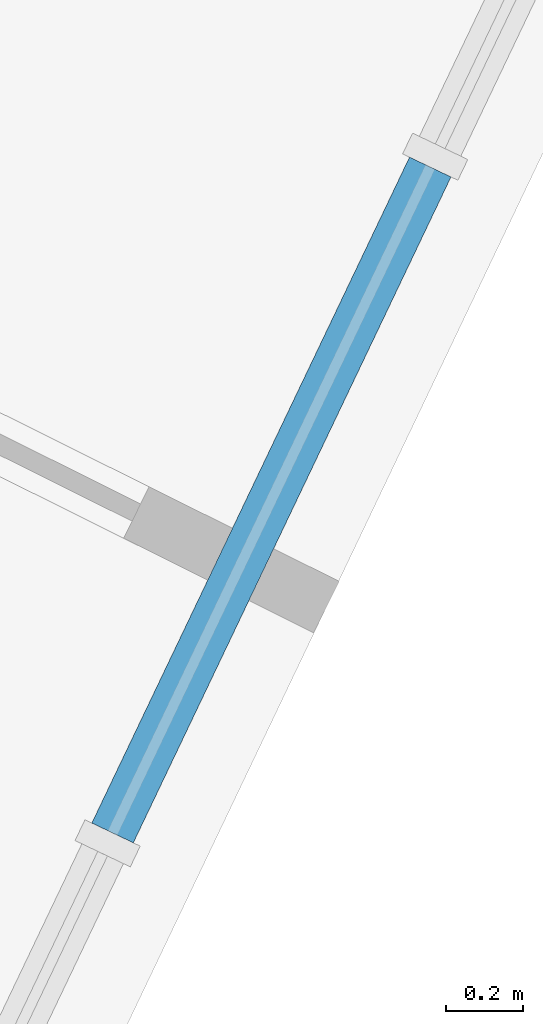
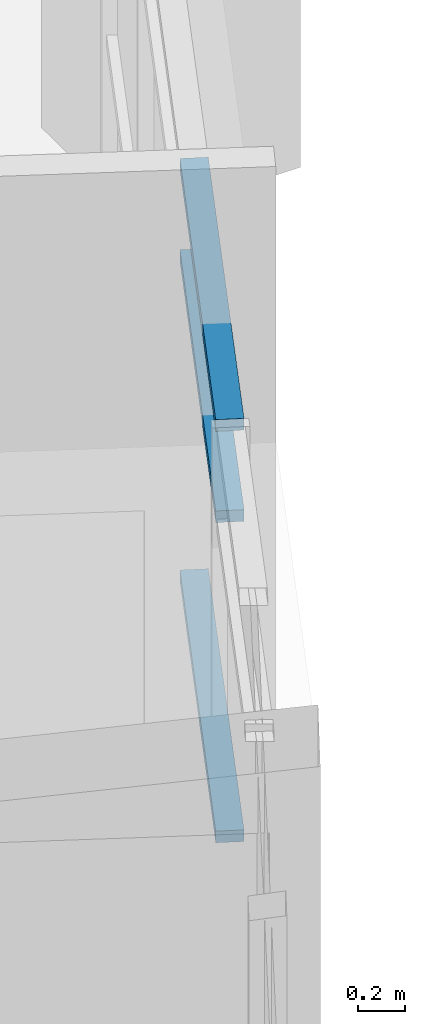
# One storey, part 8 of 109: 3 members, 1 element without a shape of its own.
"""IFC4 building model written with IfcOpenShell, lengths in metres."""

from ifc_helpers import new_model, si_unit, direction, frame, origin, origin_2d, place, context, subcontext, project, spatial, rectangle, extrude, material, material_profile, profile_set, type_object, element, aggregate, save


model = new_model("IFC4")

# Units and contexts
model_context = context("Model", 3, precision=1e-05, world=origin(), true_north=direction((0.0, 1.0)))
body_context = subcontext(model_context, "Body", "Model", "MODEL_VIEW")
ifc_project = project(units=[si_unit("LENGTHUNIT", "METRE"), si_unit("AREAUNIT", "SQUARE_METRE"), si_unit("VOLUMEUNIT", "CUBIC_METRE"), si_unit("PLANEANGLEUNIT", "RADIAN"), si_unit("MASSUNIT", "GRAM", prefix="KILO")], contexts=[model_context])

# Site, building, storey
site_placement = place(None, origin())
site = spatial("IfcSite", under=ifc_project, at=site_placement, CompositionType="ELEMENT")
building_placement = place(site_placement, origin())
building = spatial("IfcBuilding", under=site, at=building_placement, Name="Bougainvillea Quay General Hospital", CompositionType="ELEMENT")
storey_placement = place(building_placement, frame((0.0, 0.0, 12.60009765625)))
storey = spatial("IfcBuildingStorey", under=building, at=storey_placement, Name="L02", CompositionType="ELEMENT", Elevation=12.60009765625)

# Curtain wall, members
ifc_material_1 = material(Name="Aluminium curtain wall system, powder-coated glazed", Category="aluminium")
curtain_wall_type = type_object("IfcCurtainWallType", Name="Unitised curtain wall CW-1989", PredefinedType="NOTDEFINED", material=ifc_material_1)
curtain_wall_placement = place(storey_placement, origin())
curtain_wall = element("IfcCurtainWall", 1, at=curtain_wall_placement, inside=storey, type_object=curtain_wall_type, Name="CW-AE 00", PredefinedType="NOTDEFINED")
ifc_material_2 = material(Name="Aluminium transom, powder-coated charcoal", Category="aluminium")
ifc_material_profile = material_profile(ifc_material_2, rectangle(XDim=0.1201171875, YDim=0.06005859375, at=origin_2d()))
ifc_profile_set = profile_set([ifc_material_profile], Name="Aluminium transom, powder-coated charcoal")
member_type = type_object("IfcMemberType", Name="Curtain wall transom 120x60", PredefinedType="USERDEFINED", material=ifc_profile_set)
member_1_placement = place(storey_placement, frame((90.739990234375, 87.878662109375, 0.89990234375), z_axis=(0.430577251532, 0.902553727189, 0.0), x_axis=(-0.902553727189, 0.430577251532, 0.0)))
member_1 = element("IfcMember", 2, at=member_1_placement, type_object=member_type, Name="CW-AE transom 5.2", ObjectType="TRANSOM", PredefinedType="USERDEFINED", context=body_context, shape_type="SweptSolid", body=[
    extrude(rectangle(XDim=0.1201171875, YDim=0.06005859375, at=origin_2d()), origin(), (0.0, 0.0, 1.0), 1.928466796875),
])
member_2_placement = place(storey_placement, frame((90.739990234375, 87.878662109375, 2.5498046875), z_axis=(0.430577251532, 0.902553727189, 0.0), x_axis=(-0.902553727189, 0.430577251532, 0.0)))
member_2 = element("IfcMember", 3, at=member_2_placement, type_object=member_type, Name="CW-AE transom 5.3", ObjectType="TRANSOM", PredefinedType="USERDEFINED", context=body_context, shape_type="SweptSolid", body=[
    extrude(rectangle(XDim=0.1201171875, YDim=0.06005859375, at=origin_2d()), origin(), (0.0, 0.0, 1.0), 1.928466796875),
])
member_3_placement = place(storey_placement, frame((90.739990234375, 87.878662109375, 3.02001953125), z_axis=(0.430577251532, 0.902553727189, 0.0), x_axis=(-0.902553727189, 0.430577251532, 0.0)))
member_3 = element("IfcMember", 4, at=member_3_placement, type_object=member_type, Name="CW-AE transom 5.4", ObjectType="TRANSOM", PredefinedType="USERDEFINED", context=body_context, shape_type="SweptSolid", body=[
    extrude(rectangle(XDim=0.1201171875, YDim=0.06005859375, at=origin_2d()), origin(), (0.0, 0.0, 1.0), 1.928466796875),
])
aggregate(curtain_wall, [member_1, member_2, member_3])

save(model, "model.ifc")
